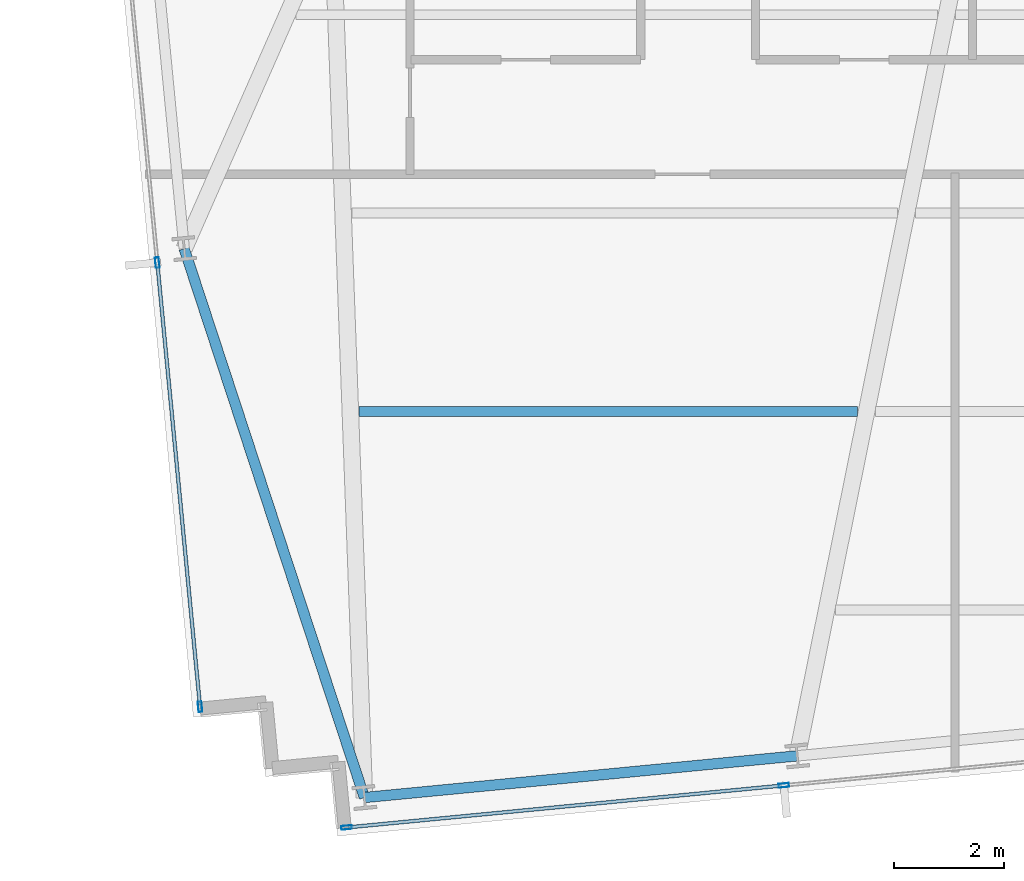
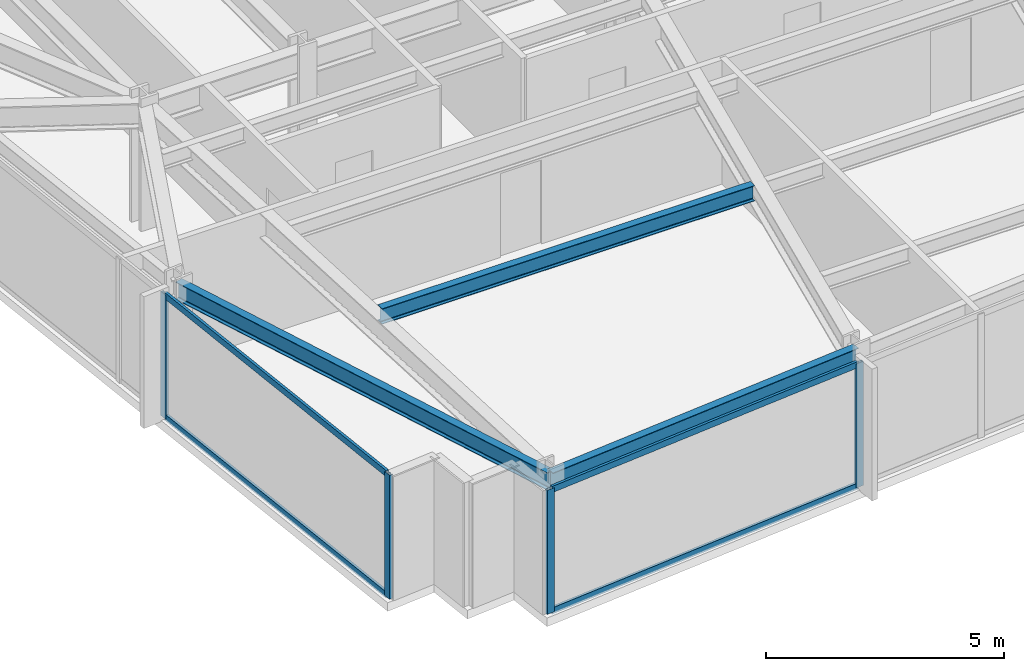
# One storey, part 2 of 33: 8 members, 3 beams, 2 elements without a shape of their own.
"""IFC4 building model written with IfcOpenShell, lengths in metres."""

from ifc_helpers import new_model, si_unit, direction, frame, origin, origin_2d, place, context, subcontext, project, spatial, hollow_rectangle, i_section, extrude, material, material_profile, profile_set, type_object, element, aggregate, save


model = new_model("IFC4")

# Units and contexts
model_context = context("Model", 3, precision=1e-05, world=origin(), true_north=direction((0.0, 1.0)))
body_context = subcontext(model_context, "Body", "Model", "MODEL_VIEW")
ifc_project = project(units=[si_unit("LENGTHUNIT", "METRE"), si_unit("AREAUNIT", "SQUARE_METRE"), si_unit("VOLUMEUNIT", "CUBIC_METRE"), si_unit("PLANEANGLEUNIT", "RADIAN"), si_unit("MASSUNIT", "GRAM", prefix="KILO")], contexts=[model_context])

# Site, building, storey
site_placement = place(None, origin())
site = spatial("IfcSite", under=ifc_project, at=site_placement, CompositionType="ELEMENT")
building_placement = place(site_placement, origin())
building = spatial("IfcBuilding", under=site, at=building_placement, Name="Yelkora Congress Tower", CompositionType="ELEMENT")
storey_placement = place(building_placement, frame((0.0, 0.0, 127.10009765625)))
storey = spatial("IfcBuildingStorey", under=building, at=storey_placement, Name="L34", CompositionType="ELEMENT", Elevation=127.10009765625)

# Beams
ifc_material_1 = material(Name="Steel S355J2", Category="steel")
ifc_material_profile_1 = material_profile(ifc_material_1, i_section(OverallWidth=0.179931640625, OverallDepth=0.39990234375, WebThickness=0.008544921875, FlangeThickness=0.013427734375, FilletRadius=0.02099609375, at=origin_2d()), Name="IPE 400")
ifc_profile_set_1 = profile_set([ifc_material_profile_1], Name="Steel S355J2")
beam_type_1 = type_object("IfcBeamType", Name="BM-JOIST-IPE400", PredefinedType="JOIST", material=ifc_profile_set_1)
beam_1_placement = place(storey_placement, frame((19.6904296875, 16.144287109375, 2.97998046875), z_axis=(1.0, 0.0, 0.0), x_axis=(0.0, 1.0, 0.0)))
element("IfcBeam", 1, at=beam_1_placement, inside=storey, type_object=beam_type_1, Name="L34 Composite Floor Joist 4", PredefinedType="JOIST", context=body_context, shape_type="SweptSolid", body=[
    extrude(i_section(OverallWidth=0.179931640625, OverallDepth=0.39990234375, WebThickness=0.008544921875, FlangeThickness=0.013427734375, FilletRadius=0.02099609375, at=origin_2d()), origin(), (0.0, 0.0, 1.0), 9.0439453125),
])
ifc_material_profile_2 = material_profile(ifc_material_1, i_section(OverallWidth=0.18994140625, OverallDepth=0.449951171875, WebThickness=0.009521484375, FlangeThickness=0.0146484375, FilletRadius=0.02099609375, at=origin_2d()), Name="IPE 450")
ifc_profile_set_2 = profile_set([ifc_material_profile_2], Name="Steel S355J2")
beam_type_2 = type_object("IfcBeamType", Name="BM-SPAN-IPE450", PredefinedType="SPANDREL", material=ifc_profile_set_2)
beam_2_placement = place(storey_placement, frame((16.5166015625, 19.101806640625, 2.954833984375), z_axis=(0.311940628701, -0.95010159676, 0.0), x_axis=(0.95010159676, 0.311940628701, 0.0)))
element("IfcBeam", 2, at=beam_2_placement, inside=storey, type_object=beam_type_2, Name="L34 Perimeter Beam 2", PredefinedType="SPANDREL", context=body_context, shape_type="SweptSolid", body=[
    extrude(i_section(OverallWidth=0.18994140625, OverallDepth=0.449951171875, WebThickness=0.009521484375, FlangeThickness=0.0146484375, FilletRadius=0.02099609375, at=origin_2d()), origin(), (0.0, 0.0, 1.0), 10.48046875),
])
beam_3_placement = place(storey_placement, frame((19.785888671875, 9.144287109375, 2.954833984375), z_axis=(0.995395860104, 0.095849265454, 0.0), x_axis=(-0.095849265454, 0.995395860104, 0.0)))
element("IfcBeam", 3, at=beam_3_placement, inside=storey, type_object=beam_type_2, Name="L34 Perimeter Beam 3", PredefinedType="SPANDREL", context=body_context, shape_type="SweptSolid", body=[
    extrude(i_section(OverallWidth=0.18994140625, OverallDepth=0.449951171875, WebThickness=0.009521484375, FlangeThickness=0.0146484375, FilletRadius=0.02099609375, at=origin_2d()), origin(), (0.0, 0.0, 1.0), 7.885986328125),
])

# Curtain wall, members
ifc_material_2 = material(Name="Anodised aluminium and insulated glass", Category="aluminium")
curtain_wall_type = type_object("IfcCurtainWallType", Name="CW-SYS-B2", PredefinedType="NOTDEFINED", material=ifc_material_2)
curtain_wall_1_placement = place(storey_placement, origin())
curtain_wall_1 = element("IfcCurtainWall", 4, at=curtain_wall_1_placement, inside=storey, type_object=curtain_wall_type, Name="L34 Unitised Curtain Wall 5", PredefinedType="NOTDEFINED")
ifc_material_3 = material(Name="Anodised aluminium 6063-T6", Category="aluminium")
ifc_material_profile_3 = material_profile(ifc_material_3, hollow_rectangle(XDim=0.070068359375, YDim=0.18994140625, WallThickness=0.00390625, at=origin_2d()), Name="ALU 70x190x4")
ifc_profile_set_3 = profile_set([ifc_material_profile_3], Name="Anodised aluminium 6063-T6")
member_type_1 = type_object("IfcMemberType", Name="MEM-ML-B2", PredefinedType="MULLION", material=ifc_profile_set_3)
member_1_placement = place(storey_placement, frame((16.804443359375, 10.791259765625, 0.0), z_axis=(0.0, 0.0, 1.0), x_axis=(-0.995396507508, -0.095842541913, 0.0)))
member_1 = element("IfcMember", 5, at=member_1_placement, type_object=member_type_1, Name="CW-B2 mullion 1", PredefinedType="MULLION", context=body_context, shape_type="SweptSolid", body=[
    extrude(hollow_rectangle(XDim=0.070068359375, YDim=0.18994140625, WallThickness=0.00390625, at=origin_2d()), origin(), (0.0, 0.0, 1.0), 3.179931640625),
])
member_2_placement = place(storey_placement, frame((16.028564453125, 18.848876953125, 0.0), z_axis=(0.0, 0.0, 1.0), x_axis=(-0.995396507508, -0.095842541913, 0.0)))
member_2 = element("IfcMember", 6, at=member_2_placement, type_object=member_type_1, Name="CW-B2 mullion 2", PredefinedType="MULLION", context=body_context, shape_type="SweptSolid", body=[
    extrude(hollow_rectangle(XDim=0.070068359375, YDim=0.18994140625, WallThickness=0.00390625, at=origin_2d()), origin(), (0.0, 0.0, 1.0), 3.179931640625),
])

curtain_wall_2_placement = place(storey_placement, origin())
curtain_wall_2 = element("IfcCurtainWall", 7, at=curtain_wall_2_placement, inside=storey, type_object=curtain_wall_type, Name="L34 Unitised Curtain Wall 20", PredefinedType="NOTDEFINED")
member_3_placement = place(storey_placement, frame((27.392822265625, 9.364501953125, 0.0), z_axis=(0.0, 0.0, 1.0), x_axis=(0.095844345816, -0.995396333816, 0.0)))
member_3 = element("IfcMember", 8, at=member_3_placement, type_object=member_type_1, Name="CW-B2 mullion 7", PredefinedType="MULLION", context=body_context, shape_type="SweptSolid", body=[
    extrude(hollow_rectangle(XDim=0.070068359375, YDim=0.18994140625, WallThickness=0.00390625, at=origin_2d()), origin(), (0.0, 0.0, 1.0), 3.179931640625),
])
member_4_placement = place(storey_placement, frame((19.46142578125, 8.600830078125, 0.0), z_axis=(0.0, 0.0, 1.0), x_axis=(0.095844345816, -0.995396333816, 0.0)))
member_4 = element("IfcMember", 9, at=member_4_placement, type_object=member_type_1, Name="CW-B2 mullion 8", PredefinedType="MULLION", context=body_context, shape_type="SweptSolid", body=[
    extrude(hollow_rectangle(XDim=0.070068359375, YDim=0.18994140625, WallThickness=0.00390625, at=origin_2d()), origin(), (0.0, 0.0, 1.0), 3.179931640625),
])

# Member
ifc_material_profile_4 = material_profile(ifc_material_3, hollow_rectangle(XDim=0.06494140625, YDim=0.159912109375, WallThickness=0.00390625, at=origin_2d()), Name="ALU 65x160x4")
ifc_profile_set_4 = profile_set([ifc_material_profile_4], Name="Anodised aluminium 6063-T6")
member_type_2 = type_object("IfcMemberType", Name="MEM-TR-B2", PredefinedType="USERDEFINED", material=ifc_profile_set_4)
member_5_placement = place(storey_placement, frame((16.801025390625, 10.826171875, 0.032470703125), z_axis=(-0.095861385662, 0.995394692943, 0.0), x_axis=(-0.995394692943, -0.095861385662, 0.0)))
member_5 = element("IfcMember", 10, at=member_5_placement, type_object=member_type_2, Name="CW-B2 transom 1.1", ObjectType="TRANSOM", PredefinedType="USERDEFINED", context=body_context, shape_type="SweptSolid", body=[
    extrude(hollow_rectangle(XDim=0.06494140625, YDim=0.159912109375, WallThickness=0.00390625, at=origin_2d()), origin(), (0.0, 0.0, 1.0), 8.02490234375),
])

member_6_placement = place(storey_placement, frame((16.801025390625, 10.826171875, 3.1474609375), z_axis=(-0.095861385662, 0.995394692943, 0.0), x_axis=(-0.995394692943, -0.095861385662, 0.0)))
member_6 = element("IfcMember", 11, at=member_6_placement, type_object=member_type_2, Name="CW-B2 transom 1.2", ObjectType="TRANSOM", PredefinedType="USERDEFINED", context=body_context, shape_type="SweptSolid", body=[
    extrude(hollow_rectangle(XDim=0.06494140625, YDim=0.159912109375, WallThickness=0.00390625, at=origin_2d()), origin(), (0.0, 0.0, 1.0), 8.02490234375),
])

aggregate(curtain_wall_1, [member_1, member_2, member_5, member_6])

member_7_placement = place(storey_placement, frame((27.35791015625, 9.361083984375, 0.032470703125), z_axis=(-0.995397978421, -0.095827264157, 0.0), x_axis=(0.095827264157, -0.995397978421, 0.0)))
member_7 = element("IfcMember", 12, at=member_7_placement, type_object=member_type_2, Name="CW-B2 transom 7.1", ObjectType="TRANSOM", PredefinedType="USERDEFINED", context=body_context, shape_type="SweptSolid", body=[
    extrude(hollow_rectangle(XDim=0.06494140625, YDim=0.159912109375, WallThickness=0.00390625, at=origin_2d()), origin(), (0.0, 0.0, 1.0), 7.89794921875),
])

member_8_placement = place(storey_placement, frame((27.35791015625, 9.361083984375, 3.1474609375), z_axis=(-0.995397978421, -0.095827264157, 0.0), x_axis=(0.095827264157, -0.995397978421, 0.0)))
member_8 = element("IfcMember", 13, at=member_8_placement, type_object=member_type_2, Name="CW-B2 transom 7.2", ObjectType="TRANSOM", PredefinedType="USERDEFINED", context=body_context, shape_type="SweptSolid", body=[
    extrude(hollow_rectangle(XDim=0.06494140625, YDim=0.159912109375, WallThickness=0.00390625, at=origin_2d()), origin(), (0.0, 0.0, 1.0), 7.89794921875),
])

aggregate(curtain_wall_2, [member_3, member_4, member_7, member_8])

save(model, "model.ifc")
